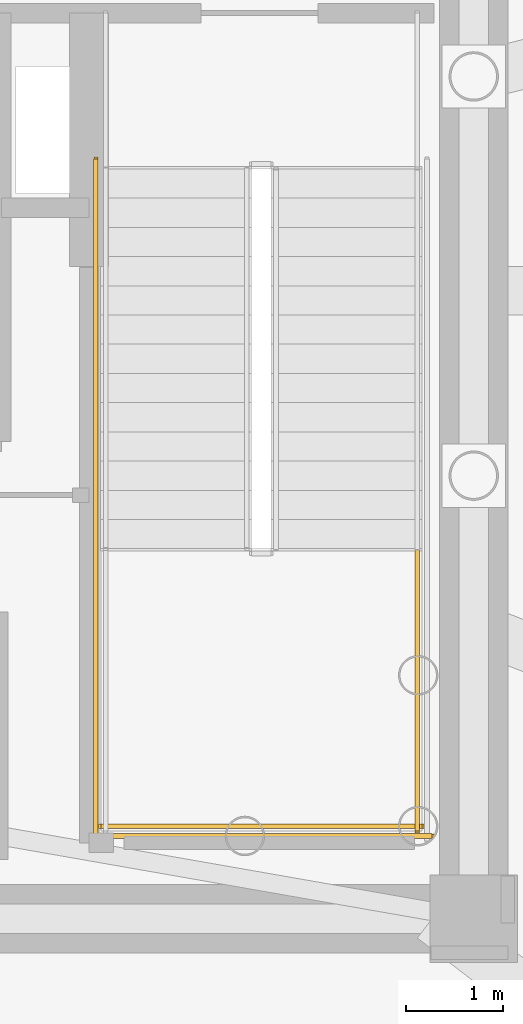
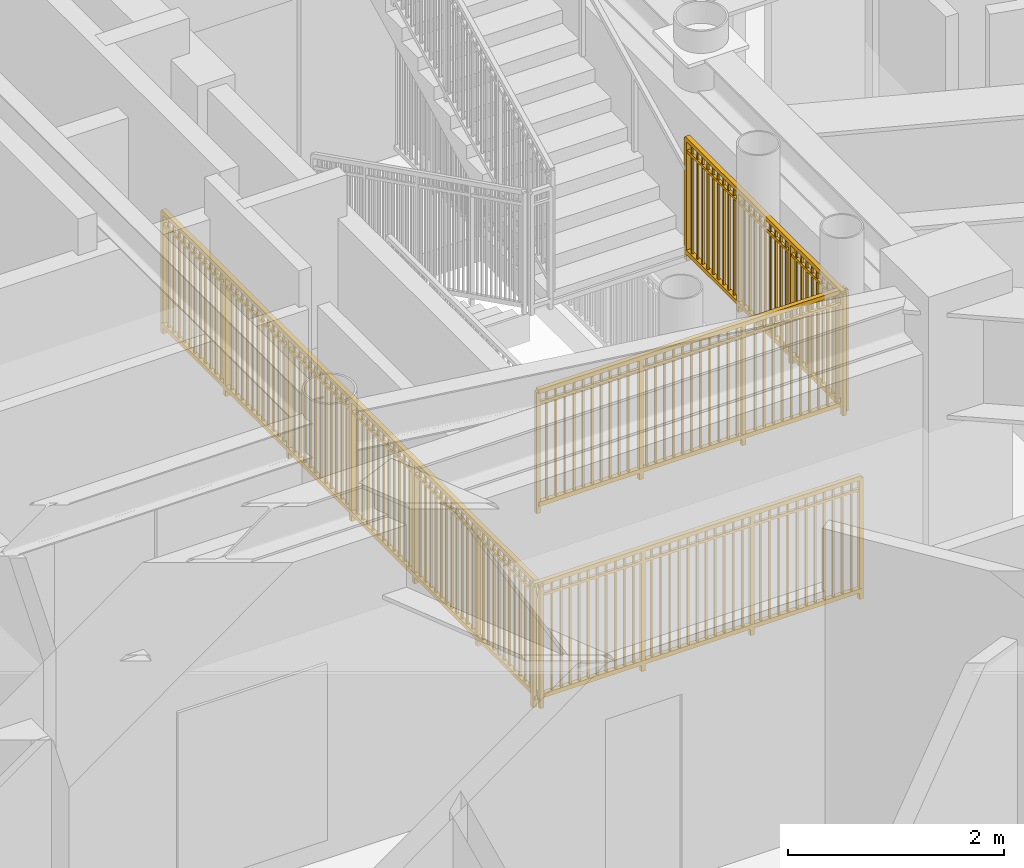
# One storey, part 21 of 26: 4 railings.
"""IFC4 building model written with IfcOpenShell, lengths in metres."""

from ifc_helpers import new_model, si_unit, direction, frame, origin, origin_2d, place, context, subcontext, project, spatial, rectangle, extrude, source, transform, mapped, material, type_object, element, save


model = new_model("IFC4")

# Units and contexts
model_context = context("Model", 3, precision=1e-05, world=origin(), true_north=direction((0.0, 1.0)))
body_context = subcontext(model_context, "Body", "Model", "MODEL_VIEW")
ifc_project = project(units=[si_unit("LENGTHUNIT", "METRE"), si_unit("AREAUNIT", "SQUARE_METRE"), si_unit("VOLUMEUNIT", "CUBIC_METRE"), si_unit("PLANEANGLEUNIT", "RADIAN"), si_unit("MASSUNIT", "GRAM", prefix="KILO")], contexts=[model_context])

# Site, building, storey
site_placement = place(None, origin())
site = spatial("IfcSite", under=ifc_project, at=site_placement, CompositionType="ELEMENT")
building_placement = place(site_placement, origin())
building = spatial("IfcBuilding", under=site, at=building_placement, Name="Linh Dai School and Residence Tower", CompositionType="ELEMENT")
storey_placement = place(building_placement, frame((0.0, 0.0, 351.0)))
storey = spatial("IfcBuildingStorey", under=building, at=storey_placement, Name="L87", CompositionType="ELEMENT", Elevation=351.0)

# Railings
ifc_material = material(Name="Structural Steel S355JR", Category="steel")
railing_type = type_object("IfcRailingType", Name="RL-ST-GUARD-1400", PredefinedType="GUARDRAIL", material=ifc_material)
shared_shape_1 = source(origin(), body_context, "Body", "SweptSolid", [
    extrude(rectangle(XDim=0.048095703125, YDim=0.048095703125, at=origin_2d()), frame((0.0, 0.0, 1.3759765625), z_axis=(1.0, 0.0, 0.0), x_axis=(0.0, 1.0, 0.0)), (0.0, 0.0, 1.0), 3.300048828125),
    extrude(rectangle(XDim=0.048095703125, YDim=0.048095703125, at=origin_2d()), frame((0.0, 0.0, 0.10009765625), z_axis=(1.0, 0.0, 0.0), x_axis=(0.0, 1.0, 0.0)), (0.0, 0.0, 1.0), 3.300048828125),
    extrude(rectangle(XDim=0.030029296875, YDim=0.030029296875, at=origin_2d()), frame((0.0, 0.0, 1.239990234375), z_axis=(1.0, 0.0, 0.0), x_axis=(0.0, 1.0, 0.0)), (0.0, 0.0, 1.0), 3.300048828125),
    extrude(rectangle(XDim=0.02001953125, YDim=0.02001953125, at=origin_2d()), frame((0.09716796875, 0.0, 0.10009765625)), (0.0, 0.0, 1.0), 1.251708984375),
    extrude(rectangle(XDim=0.02001953125, YDim=0.02001953125, at=origin_2d()), frame((0.194091796875, 0.0, 0.10009765625)), (0.0, 0.0, 1.0), 1.251708984375),
    extrude(rectangle(XDim=0.02001953125, YDim=0.02001953125, at=origin_2d()), frame((0.291259765625, 0.0, 0.10009765625)), (0.0, 0.0, 1.0), 1.251708984375),
    extrude(rectangle(XDim=0.02001953125, YDim=0.02001953125, at=origin_2d()), frame((0.38818359375, 0.0, 0.10009765625)), (0.0, 0.0, 1.0), 1.251708984375),
    extrude(rectangle(XDim=0.02001953125, YDim=0.02001953125, at=origin_2d()), frame((0.4853515625, 0.0, 0.10009765625)), (0.0, 0.0, 1.0), 1.251708984375),
    extrude(rectangle(XDim=0.02001953125, YDim=0.02001953125, at=origin_2d()), frame((0.582275390625, 0.0, 0.10009765625)), (0.0, 0.0, 1.0), 1.251708984375),
    extrude(rectangle(XDim=0.02001953125, YDim=0.02001953125, at=origin_2d()), frame((0.679443359375, 0.0, 0.10009765625)), (0.0, 0.0, 1.0), 1.251708984375),
    extrude(rectangle(XDim=0.02001953125, YDim=0.02001953125, at=origin_2d()), frame((0.7763671875, 0.0, 0.10009765625)), (0.0, 0.0, 1.0), 1.251708984375),
    extrude(rectangle(XDim=0.02001953125, YDim=0.02001953125, at=origin_2d()), frame((0.87353515625, 0.0, 0.10009765625)), (0.0, 0.0, 1.0), 1.251708984375),
    extrude(rectangle(XDim=0.02001953125, YDim=0.02001953125, at=origin_2d()), frame((0.970703125, 0.0, 0.10009765625)), (0.0, 0.0, 1.0), 1.251708984375),
    extrude(rectangle(XDim=0.02001953125, YDim=0.02001953125, at=origin_2d()), frame((1.164794921875, 0.0, 0.10009765625)), (0.0, 0.0, 1.0), 1.251708984375),
    extrude(rectangle(XDim=0.02001953125, YDim=0.02001953125, at=origin_2d()), frame((1.26171875, 0.0, 0.10009765625)), (0.0, 0.0, 1.0), 1.251708984375),
    extrude(rectangle(XDim=0.02001953125, YDim=0.02001953125, at=origin_2d()), frame((1.35888671875, 0.0, 0.10009765625)), (0.0, 0.0, 1.0), 1.251708984375),
    extrude(rectangle(XDim=0.02001953125, YDim=0.02001953125, at=origin_2d()), frame((1.455810546875, 0.0, 0.10009765625)), (0.0, 0.0, 1.0), 1.251708984375),
    extrude(rectangle(XDim=0.02001953125, YDim=0.02001953125, at=origin_2d()), frame((1.552978515625, 0.0, 0.10009765625)), (0.0, 0.0, 1.0), 1.251708984375),
    extrude(rectangle(XDim=0.02001953125, YDim=0.02001953125, at=origin_2d()), frame((1.64990234375, 0.0, 0.10009765625)), (0.0, 0.0, 1.0), 1.251708984375),
    extrude(rectangle(XDim=0.02001953125, YDim=0.02001953125, at=origin_2d()), frame((1.7470703125, 0.0, 0.10009765625)), (0.0, 0.0, 1.0), 1.251708984375),
    extrude(rectangle(XDim=0.02001953125, YDim=0.02001953125, at=origin_2d()), frame((1.84423828125, 0.0, 0.10009765625)), (0.0, 0.0, 1.0), 1.251708984375),
    extrude(rectangle(XDim=0.02001953125, YDim=0.02001953125, at=origin_2d()), frame((1.941162109375, 0.0, 0.10009765625)), (0.0, 0.0, 1.0), 1.251708984375),
    extrude(rectangle(XDim=0.02001953125, YDim=0.02001953125, at=origin_2d()), frame((2.038330078125, 0.0, 0.10009765625)), (0.0, 0.0, 1.0), 1.251708984375),
    extrude(rectangle(XDim=0.02001953125, YDim=0.02001953125, at=origin_2d()), frame((2.13525390625, 0.0, 0.10009765625)), (0.0, 0.0, 1.0), 1.251708984375),
    extrude(rectangle(XDim=0.02001953125, YDim=0.02001953125, at=origin_2d()), frame((2.329345703125, 0.0, 0.10009765625)), (0.0, 0.0, 1.0), 1.251708984375),
    extrude(rectangle(XDim=0.02001953125, YDim=0.02001953125, at=origin_2d()), frame((2.426513671875, 0.0, 0.10009765625)), (0.0, 0.0, 1.0), 1.251708984375),
    extrude(rectangle(XDim=0.02001953125, YDim=0.02001953125, at=origin_2d()), frame((2.523681640625, 0.0, 0.10009765625)), (0.0, 0.0, 1.0), 1.251708984375),
    extrude(rectangle(XDim=0.02001953125, YDim=0.02001953125, at=origin_2d()), frame((2.62060546875, 0.0, 0.10009765625)), (0.0, 0.0, 1.0), 1.251708984375),
    extrude(rectangle(XDim=0.02001953125, YDim=0.02001953125, at=origin_2d()), frame((2.7177734375, 0.0, 0.10009765625)), (0.0, 0.0, 1.0), 1.251708984375),
    extrude(rectangle(XDim=0.02001953125, YDim=0.02001953125, at=origin_2d()), frame((2.814697265625, 0.0, 0.10009765625)), (0.0, 0.0, 1.0), 1.251708984375),
    extrude(rectangle(XDim=0.02001953125, YDim=0.02001953125, at=origin_2d()), frame((2.911865234375, 0.0, 0.10009765625)), (0.0, 0.0, 1.0), 1.251708984375),
    extrude(rectangle(XDim=0.02001953125, YDim=0.02001953125, at=origin_2d()), frame((3.0087890625, 0.0, 0.10009765625)), (0.0, 0.0, 1.0), 1.251708984375),
    extrude(rectangle(XDim=0.02001953125, YDim=0.02001953125, at=origin_2d()), frame((3.10595703125, 0.0, 0.10009765625)), (0.0, 0.0, 1.0), 1.251708984375),
    extrude(rectangle(XDim=0.02001953125, YDim=0.02001953125, at=origin_2d()), frame((3.202880859375, 0.0, 0.10009765625)), (0.0, 0.0, 1.0), 1.251708984375),
    extrude(rectangle(XDim=0.0419921875, YDim=0.0419921875, at=origin_2d()), origin(), (0.0, 0.0, 1.0), 1.3759765625),
    extrude(rectangle(XDim=0.0419921875, YDim=0.0419921875, at=origin_2d()), frame((1.10009765625, 0.0, 0.0)), (0.0, 0.0, 1.0), 1.3759765625),
    extrude(rectangle(XDim=0.0419921875, YDim=0.0419921875, at=origin_2d()), frame((2.199951171875, 0.0, 0.0)), (0.0, 0.0, 1.0), 1.3759765625),
    extrude(rectangle(XDim=0.0419921875, YDim=0.0419921875, at=origin_2d()), frame((3.300048828125, 0.0, 0.0)), (0.0, 0.0, 1.0), 1.3759765625),
])
railing_1_placement = place(storey_placement, frame((41.02001953125, 21.5, 2.10009765625)))
element("IfcRailing", 1, at=railing_1_placement, inside=storey, type_object=railing_type, Name="L87 ST2 stair guard 5", PredefinedType="GUARDRAIL", context=body_context, shape_type="MappedRepresentation", body=[
    mapped(shared_shape_1, transform((0.0, 0.0, 0.0), x_axis=(1.0, 0.0, 0.0), y_axis=(0.0, 1.0, 0.0), z_axis=(0.0, 0.0, 1.0), scale=1.0)),
])
shared_shape_2 = source(origin(), body_context, "Body", "SweptSolid", [
    extrude(rectangle(XDim=0.048095703125, YDim=0.048095703125, at=origin_2d()), frame((0.0, 0.0, 1.3759765625), z_axis=(0.0, -1.0, 0.0), x_axis=(1.0, 0.0, 0.0)), (0.0, 0.0, 1.0), 7.0),
    extrude(rectangle(XDim=0.048095703125, YDim=0.048095703125, at=origin_2d()), frame((0.0, 0.0, 0.10009765625), z_axis=(0.0, -1.0, 0.0), x_axis=(1.0, 0.0, 0.0)), (0.0, 0.0, 1.0), 7.0),
    extrude(rectangle(XDim=0.030029296875, YDim=0.030029296875, at=origin_2d()), frame((0.0, 0.0, 1.239990234375), z_axis=(0.0, -1.0, 0.0), x_axis=(1.0, 0.0, 0.0)), (0.0, 0.0, 1.0), 7.0),
    extrude(rectangle(XDim=0.02001953125, YDim=0.02001953125, at=origin_2d()), frame((0.0, -0.09716796875, 0.10009765625)), (0.0, 0.0, 1.0), 1.251708984375),
    extrude(rectangle(XDim=0.02001953125, YDim=0.02001953125, at=origin_2d()), frame((0.0, -0.1943359375, 0.10009765625)), (0.0, 0.0, 1.0), 1.251708984375),
    extrude(rectangle(XDim=0.02001953125, YDim=0.02001953125, at=origin_2d()), frame((0.0, -0.291748046875, 0.10009765625)), (0.0, 0.0, 1.0), 1.251708984375),
    extrude(rectangle(XDim=0.02001953125, YDim=0.02001953125, at=origin_2d()), frame((0.0, -0.388916015625, 0.10009765625)), (0.0, 0.0, 1.0), 1.251708984375),
    extrude(rectangle(XDim=0.02001953125, YDim=0.02001953125, at=origin_2d()), frame((0.0, -0.486083984375, 0.10009765625)), (0.0, 0.0, 1.0), 1.251708984375),
    extrude(rectangle(XDim=0.02001953125, YDim=0.02001953125, at=origin_2d()), frame((0.0, -0.583251953125, 0.10009765625)), (0.0, 0.0, 1.0), 1.251708984375),
    extrude(rectangle(XDim=0.02001953125, YDim=0.02001953125, at=origin_2d()), frame((0.0, -0.6806640625, 0.10009765625)), (0.0, 0.0, 1.0), 1.251708984375),
    extrude(rectangle(XDim=0.02001953125, YDim=0.02001953125, at=origin_2d()), frame((0.0, -0.77783203125, 0.10009765625)), (0.0, 0.0, 1.0), 1.251708984375),
    extrude(rectangle(XDim=0.02001953125, YDim=0.02001953125, at=origin_2d()), frame((0.0, -0.875, 0.10009765625)), (0.0, 0.0, 1.0), 1.251708984375),
    extrude(rectangle(XDim=0.02001953125, YDim=0.02001953125, at=origin_2d()), frame((0.0, -0.97216796875, 0.10009765625)), (0.0, 0.0, 1.0), 1.251708984375),
    extrude(rectangle(XDim=0.02001953125, YDim=0.02001953125, at=origin_2d()), frame((0.0, -1.0693359375, 0.10009765625)), (0.0, 0.0, 1.0), 1.251708984375),
    extrude(rectangle(XDim=0.02001953125, YDim=0.02001953125, at=origin_2d()), frame((0.0, -1.263916015625, 0.10009765625)), (0.0, 0.0, 1.0), 1.251708984375),
    extrude(rectangle(XDim=0.02001953125, YDim=0.02001953125, at=origin_2d()), frame((0.0, -1.361083984375, 0.10009765625)), (0.0, 0.0, 1.0), 1.251708984375),
    extrude(rectangle(XDim=0.02001953125, YDim=0.02001953125, at=origin_2d()), frame((0.0, -1.458251953125, 0.10009765625)), (0.0, 0.0, 1.0), 1.251708984375),
    extrude(rectangle(XDim=0.02001953125, YDim=0.02001953125, at=origin_2d()), frame((0.0, -1.5556640625, 0.10009765625)), (0.0, 0.0, 1.0), 1.251708984375),
    extrude(rectangle(XDim=0.02001953125, YDim=0.02001953125, at=origin_2d()), frame((0.0, -1.65283203125, 0.10009765625)), (0.0, 0.0, 1.0), 1.251708984375),
    extrude(rectangle(XDim=0.02001953125, YDim=0.02001953125, at=origin_2d()), frame((0.0, -1.75, 0.10009765625)), (0.0, 0.0, 1.0), 1.251708984375),
    extrude(rectangle(XDim=0.02001953125, YDim=0.02001953125, at=origin_2d()), frame((0.0, -1.84716796875, 0.10009765625)), (0.0, 0.0, 1.0), 1.251708984375),
    extrude(rectangle(XDim=0.02001953125, YDim=0.02001953125, at=origin_2d()), frame((0.0, -1.9443359375, 0.10009765625)), (0.0, 0.0, 1.0), 1.251708984375),
    extrude(rectangle(XDim=0.02001953125, YDim=0.02001953125, at=origin_2d()), frame((0.0, -2.041748046875, 0.10009765625)), (0.0, 0.0, 1.0), 1.251708984375),
    extrude(rectangle(XDim=0.02001953125, YDim=0.02001953125, at=origin_2d()), frame((0.0, -2.138916015625, 0.10009765625)), (0.0, 0.0, 1.0), 1.251708984375),
    extrude(rectangle(XDim=0.02001953125, YDim=0.02001953125, at=origin_2d()), frame((0.0, -2.236083984375, 0.10009765625)), (0.0, 0.0, 1.0), 1.251708984375),
    extrude(rectangle(XDim=0.02001953125, YDim=0.02001953125, at=origin_2d()), frame((0.0, -2.4306640625, 0.10009765625)), (0.0, 0.0, 1.0), 1.251708984375),
    extrude(rectangle(XDim=0.02001953125, YDim=0.02001953125, at=origin_2d()), frame((0.0, -2.52783203125, 0.10009765625)), (0.0, 0.0, 1.0), 1.251708984375),
    extrude(rectangle(XDim=0.02001953125, YDim=0.02001953125, at=origin_2d()), frame((0.0, -2.625, 0.10009765625)), (0.0, 0.0, 1.0), 1.251708984375),
    extrude(rectangle(XDim=0.02001953125, YDim=0.02001953125, at=origin_2d()), frame((0.0, -2.72216796875, 0.10009765625)), (0.0, 0.0, 1.0), 1.251708984375),
    extrude(rectangle(XDim=0.02001953125, YDim=0.02001953125, at=origin_2d()), frame((0.0, -2.8193359375, 0.10009765625)), (0.0, 0.0, 1.0), 1.251708984375),
    extrude(rectangle(XDim=0.02001953125, YDim=0.02001953125, at=origin_2d()), frame((0.0, -2.916748046875, 0.10009765625)), (0.0, 0.0, 1.0), 1.251708984375),
    extrude(rectangle(XDim=0.02001953125, YDim=0.02001953125, at=origin_2d()), frame((0.0, -3.013916015625, 0.10009765625)), (0.0, 0.0, 1.0), 1.251708984375),
    extrude(rectangle(XDim=0.02001953125, YDim=0.02001953125, at=origin_2d()), frame((0.0, -3.111083984375, 0.10009765625)), (0.0, 0.0, 1.0), 1.251708984375),
    extrude(rectangle(XDim=0.02001953125, YDim=0.02001953125, at=origin_2d()), frame((0.0, -3.208251953125, 0.10009765625)), (0.0, 0.0, 1.0), 1.251708984375),
    extrude(rectangle(XDim=0.02001953125, YDim=0.02001953125, at=origin_2d()), frame((0.0, -3.3056640625, 0.10009765625)), (0.0, 0.0, 1.0), 1.251708984375),
    extrude(rectangle(XDim=0.02001953125, YDim=0.02001953125, at=origin_2d()), frame((0.0, -3.40283203125, 0.10009765625)), (0.0, 0.0, 1.0), 1.251708984375),
    extrude(rectangle(XDim=0.02001953125, YDim=0.02001953125, at=origin_2d()), frame((0.0, -3.59716796875, 0.10009765625)), (0.0, 0.0, 1.0), 1.251708984375),
    extrude(rectangle(XDim=0.02001953125, YDim=0.02001953125, at=origin_2d()), frame((0.0, -3.6943359375, 0.10009765625)), (0.0, 0.0, 1.0), 1.251708984375),
    extrude(rectangle(XDim=0.02001953125, YDim=0.02001953125, at=origin_2d()), frame((0.0, -3.791748046875, 0.10009765625)), (0.0, 0.0, 1.0), 1.251708984375),
    extrude(rectangle(XDim=0.02001953125, YDim=0.02001953125, at=origin_2d()), frame((0.0, -3.888916015625, 0.10009765625)), (0.0, 0.0, 1.0), 1.251708984375),
    extrude(rectangle(XDim=0.02001953125, YDim=0.02001953125, at=origin_2d()), frame((0.0, -3.986083984375, 0.10009765625)), (0.0, 0.0, 1.0), 1.251708984375),
    extrude(rectangle(XDim=0.02001953125, YDim=0.02001953125, at=origin_2d()), frame((0.0, -4.083251953125, 0.10009765625)), (0.0, 0.0, 1.0), 1.251708984375),
    extrude(rectangle(XDim=0.02001953125, YDim=0.02001953125, at=origin_2d()), frame((0.0, -4.1806640625, 0.10009765625)), (0.0, 0.0, 1.0), 1.251708984375),
    extrude(rectangle(XDim=0.02001953125, YDim=0.02001953125, at=origin_2d()), frame((0.0, -4.27783203125, 0.10009765625)), (0.0, 0.0, 1.0), 1.251708984375),
    extrude(rectangle(XDim=0.02001953125, YDim=0.02001953125, at=origin_2d()), frame((0.0, -4.375, 0.10009765625)), (0.0, 0.0, 1.0), 1.251708984375),
    extrude(rectangle(XDim=0.02001953125, YDim=0.02001953125, at=origin_2d()), frame((0.0, -4.47216796875, 0.10009765625)), (0.0, 0.0, 1.0), 1.251708984375),
    extrude(rectangle(XDim=0.02001953125, YDim=0.02001953125, at=origin_2d()), frame((0.0, -4.5693359375, 0.10009765625)), (0.0, 0.0, 1.0), 1.251708984375),
    extrude(rectangle(XDim=0.02001953125, YDim=0.02001953125, at=origin_2d()), frame((0.0, -4.763916015625, 0.10009765625)), (0.0, 0.0, 1.0), 1.251708984375),
    extrude(rectangle(XDim=0.02001953125, YDim=0.02001953125, at=origin_2d()), frame((0.0, -4.861083984375, 0.10009765625)), (0.0, 0.0, 1.0), 1.251708984375),
    extrude(rectangle(XDim=0.02001953125, YDim=0.02001953125, at=origin_2d()), frame((0.0, -4.958251953125, 0.10009765625)), (0.0, 0.0, 1.0), 1.251708984375),
    extrude(rectangle(XDim=0.02001953125, YDim=0.02001953125, at=origin_2d()), frame((0.0, -5.0556640625, 0.10009765625)), (0.0, 0.0, 1.0), 1.251708984375),
    extrude(rectangle(XDim=0.02001953125, YDim=0.02001953125, at=origin_2d()), frame((0.0, -5.15283203125, 0.10009765625)), (0.0, 0.0, 1.0), 1.251708984375),
    extrude(rectangle(XDim=0.02001953125, YDim=0.02001953125, at=origin_2d()), frame((0.0, -5.25, 0.10009765625)), (0.0, 0.0, 1.0), 1.251708984375),
    extrude(rectangle(XDim=0.02001953125, YDim=0.02001953125, at=origin_2d()), frame((0.0, -5.34716796875, 0.10009765625)), (0.0, 0.0, 1.0), 1.251708984375),
    extrude(rectangle(XDim=0.02001953125, YDim=0.02001953125, at=origin_2d()), frame((0.0, -5.4443359375, 0.10009765625)), (0.0, 0.0, 1.0), 1.251708984375),
    extrude(rectangle(XDim=0.02001953125, YDim=0.02001953125, at=origin_2d()), frame((0.0, -5.541748046875, 0.10009765625)), (0.0, 0.0, 1.0), 1.251708984375),
    extrude(rectangle(XDim=0.02001953125, YDim=0.02001953125, at=origin_2d()), frame((0.0, -5.638916015625, 0.10009765625)), (0.0, 0.0, 1.0), 1.251708984375),
    extrude(rectangle(XDim=0.02001953125, YDim=0.02001953125, at=origin_2d()), frame((0.0, -5.736083984375, 0.10009765625)), (0.0, 0.0, 1.0), 1.251708984375),
    extrude(rectangle(XDim=0.02001953125, YDim=0.02001953125, at=origin_2d()), frame((0.0, -5.9306640625, 0.10009765625)), (0.0, 0.0, 1.0), 1.251708984375),
    extrude(rectangle(XDim=0.02001953125, YDim=0.02001953125, at=origin_2d()), frame((0.0, -6.02783203125, 0.10009765625)), (0.0, 0.0, 1.0), 1.251708984375),
    extrude(rectangle(XDim=0.02001953125, YDim=0.02001953125, at=origin_2d()), frame((0.0, -6.125, 0.10009765625)), (0.0, 0.0, 1.0), 1.251708984375),
    extrude(rectangle(XDim=0.02001953125, YDim=0.02001953125, at=origin_2d()), frame((0.0, -6.22216796875, 0.10009765625)), (0.0, 0.0, 1.0), 1.251708984375),
    extrude(rectangle(XDim=0.02001953125, YDim=0.02001953125, at=origin_2d()), frame((0.0, -6.3193359375, 0.10009765625)), (0.0, 0.0, 1.0), 1.251708984375),
    extrude(rectangle(XDim=0.02001953125, YDim=0.02001953125, at=origin_2d()), frame((0.0, -6.416748046875, 0.10009765625)), (0.0, 0.0, 1.0), 1.251708984375),
    extrude(rectangle(XDim=0.02001953125, YDim=0.02001953125, at=origin_2d()), frame((0.0, -6.513916015625, 0.10009765625)), (0.0, 0.0, 1.0), 1.251708984375),
    extrude(rectangle(XDim=0.02001953125, YDim=0.02001953125, at=origin_2d()), frame((0.0, -6.611083984375, 0.10009765625)), (0.0, 0.0, 1.0), 1.251708984375),
    extrude(rectangle(XDim=0.02001953125, YDim=0.02001953125, at=origin_2d()), frame((0.0, -6.708251953125, 0.10009765625)), (0.0, 0.0, 1.0), 1.251708984375),
    extrude(rectangle(XDim=0.02001953125, YDim=0.02001953125, at=origin_2d()), frame((0.0, -6.8056640625, 0.10009765625)), (0.0, 0.0, 1.0), 1.251708984375),
    extrude(rectangle(XDim=0.02001953125, YDim=0.02001953125, at=origin_2d()), frame((0.0, -6.90283203125, 0.10009765625)), (0.0, 0.0, 1.0), 1.251708984375),
    extrude(rectangle(XDim=0.0419921875, YDim=0.0419921875, at=origin_2d()), origin(), (0.0, 0.0, 1.0), 1.3759765625),
    extrude(rectangle(XDim=0.0419921875, YDim=0.0419921875, at=origin_2d()), frame((0.0, -1.166748046875, 0.0)), (0.0, 0.0, 1.0), 1.3759765625),
    extrude(rectangle(XDim=0.0419921875, YDim=0.0419921875, at=origin_2d()), frame((0.0, -2.333251953125, 0.0)), (0.0, 0.0, 1.0), 1.3759765625),
    extrude(rectangle(XDim=0.0419921875, YDim=0.0419921875, at=origin_2d()), frame((0.0, -3.5, 0.0)), (0.0, 0.0, 1.0), 1.3759765625),
    extrude(rectangle(XDim=0.0419921875, YDim=0.0419921875, at=origin_2d()), frame((0.0, -4.666748046875, 0.0)), (0.0, 0.0, 1.0), 1.3759765625),
    extrude(rectangle(XDim=0.0419921875, YDim=0.0419921875, at=origin_2d()), frame((0.0, -5.833251953125, 0.0)), (0.0, 0.0, 1.0), 1.3759765625),
    extrude(rectangle(XDim=0.0419921875, YDim=0.0419921875, at=origin_2d()), frame((0.0, -7.0, 0.0)), (0.0, 0.0, 1.0), 1.3759765625),
])
railing_2_placement = place(storey_placement, frame((40.969970703125, 28.35009765625, 0.0)))
element("IfcRailing", 2, at=railing_2_placement, inside=storey, type_object=railing_type, Name="L87 ST2 stair guard 10", PredefinedType="GUARDRAIL", context=body_context, shape_type="MappedRepresentation", body=[
    mapped(shared_shape_2, transform((0.0, 0.0, 0.0), x_axis=(1.0, 0.0, 0.0), y_axis=(0.0, 1.0, 0.0), z_axis=(0.0, 0.0, 1.0), scale=1.0)),
])
shared_shape_3 = source(origin(), body_context, "Body", "SweptSolid", [
    extrude(rectangle(XDim=0.048095703125, YDim=0.048095703125, at=origin_2d()), frame((0.0, 0.0, 1.3759765625), z_axis=(1.0, 0.0, 0.0), x_axis=(0.0, 1.0, 0.0)), (0.0, 0.0, 1.0), 3.5),
    extrude(rectangle(XDim=0.048095703125, YDim=0.048095703125, at=origin_2d()), frame((0.0, 0.0, 0.10009765625), z_axis=(1.0, 0.0, 0.0), x_axis=(0.0, 1.0, 0.0)), (0.0, 0.0, 1.0), 3.5),
    extrude(rectangle(XDim=0.030029296875, YDim=0.030029296875, at=origin_2d()), frame((0.0, 0.0, 1.239990234375), z_axis=(1.0, 0.0, 0.0), x_axis=(0.0, 1.0, 0.0)), (0.0, 0.0, 1.0), 3.5),
    extrude(rectangle(XDim=0.02001953125, YDim=0.02001953125, at=origin_2d()), frame((0.09716796875, 0.0, 0.10009765625)), (0.0, 0.0, 1.0), 1.251708984375),
    extrude(rectangle(XDim=0.02001953125, YDim=0.02001953125, at=origin_2d()), frame((0.1943359375, 0.0, 0.10009765625)), (0.0, 0.0, 1.0), 1.251708984375),
    extrude(rectangle(XDim=0.02001953125, YDim=0.02001953125, at=origin_2d()), frame((0.291748046875, 0.0, 0.10009765625)), (0.0, 0.0, 1.0), 1.251708984375),
    extrude(rectangle(XDim=0.02001953125, YDim=0.02001953125, at=origin_2d()), frame((0.388916015625, 0.0, 0.10009765625)), (0.0, 0.0, 1.0), 1.251708984375),
    extrude(rectangle(XDim=0.02001953125, YDim=0.02001953125, at=origin_2d()), frame((0.486083984375, 0.0, 0.10009765625)), (0.0, 0.0, 1.0), 1.251708984375),
    extrude(rectangle(XDim=0.02001953125, YDim=0.02001953125, at=origin_2d()), frame((0.583251953125, 0.0, 0.10009765625)), (0.0, 0.0, 1.0), 1.251708984375),
    extrude(rectangle(XDim=0.02001953125, YDim=0.02001953125, at=origin_2d()), frame((0.6806640625, 0.0, 0.10009765625)), (0.0, 0.0, 1.0), 1.251708984375),
    extrude(rectangle(XDim=0.02001953125, YDim=0.02001953125, at=origin_2d()), frame((0.77783203125, 0.0, 0.10009765625)), (0.0, 0.0, 1.0), 1.251708984375),
    extrude(rectangle(XDim=0.02001953125, YDim=0.02001953125, at=origin_2d()), frame((0.875, 0.0, 0.10009765625)), (0.0, 0.0, 1.0), 1.251708984375),
    extrude(rectangle(XDim=0.02001953125, YDim=0.02001953125, at=origin_2d()), frame((0.97216796875, 0.0, 0.10009765625)), (0.0, 0.0, 1.0), 1.251708984375),
    extrude(rectangle(XDim=0.02001953125, YDim=0.02001953125, at=origin_2d()), frame((1.0693359375, 0.0, 0.10009765625)), (0.0, 0.0, 1.0), 1.251708984375),
    extrude(rectangle(XDim=0.02001953125, YDim=0.02001953125, at=origin_2d()), frame((1.263916015625, 0.0, 0.10009765625)), (0.0, 0.0, 1.0), 1.251708984375),
    extrude(rectangle(XDim=0.02001953125, YDim=0.02001953125, at=origin_2d()), frame((1.361083984375, 0.0, 0.10009765625)), (0.0, 0.0, 1.0), 1.251708984375),
    extrude(rectangle(XDim=0.02001953125, YDim=0.02001953125, at=origin_2d()), frame((1.458251953125, 0.0, 0.10009765625)), (0.0, 0.0, 1.0), 1.251708984375),
    extrude(rectangle(XDim=0.02001953125, YDim=0.02001953125, at=origin_2d()), frame((1.5556640625, 0.0, 0.10009765625)), (0.0, 0.0, 1.0), 1.251708984375),
    extrude(rectangle(XDim=0.02001953125, YDim=0.02001953125, at=origin_2d()), frame((1.65283203125, 0.0, 0.10009765625)), (0.0, 0.0, 1.0), 1.251708984375),
    extrude(rectangle(XDim=0.02001953125, YDim=0.02001953125, at=origin_2d()), frame((1.75, 0.0, 0.10009765625)), (0.0, 0.0, 1.0), 1.251708984375),
    extrude(rectangle(XDim=0.02001953125, YDim=0.02001953125, at=origin_2d()), frame((1.84716796875, 0.0, 0.10009765625)), (0.0, 0.0, 1.0), 1.251708984375),
    extrude(rectangle(XDim=0.02001953125, YDim=0.02001953125, at=origin_2d()), frame((1.9443359375, 0.0, 0.10009765625)), (0.0, 0.0, 1.0), 1.251708984375),
    extrude(rectangle(XDim=0.02001953125, YDim=0.02001953125, at=origin_2d()), frame((2.041748046875, 0.0, 0.10009765625)), (0.0, 0.0, 1.0), 1.251708984375),
    extrude(rectangle(XDim=0.02001953125, YDim=0.02001953125, at=origin_2d()), frame((2.138916015625, 0.0, 0.10009765625)), (0.0, 0.0, 1.0), 1.251708984375),
    extrude(rectangle(XDim=0.02001953125, YDim=0.02001953125, at=origin_2d()), frame((2.236083984375, 0.0, 0.10009765625)), (0.0, 0.0, 1.0), 1.251708984375),
    extrude(rectangle(XDim=0.02001953125, YDim=0.02001953125, at=origin_2d()), frame((2.4306640625, 0.0, 0.10009765625)), (0.0, 0.0, 1.0), 1.251708984375),
    extrude(rectangle(XDim=0.02001953125, YDim=0.02001953125, at=origin_2d()), frame((2.52783203125, 0.0, 0.10009765625)), (0.0, 0.0, 1.0), 1.251708984375),
    extrude(rectangle(XDim=0.02001953125, YDim=0.02001953125, at=origin_2d()), frame((2.625, 0.0, 0.10009765625)), (0.0, 0.0, 1.0), 1.251708984375),
    extrude(rectangle(XDim=0.02001953125, YDim=0.02001953125, at=origin_2d()), frame((2.72216796875, 0.0, 0.10009765625)), (0.0, 0.0, 1.0), 1.251708984375),
    extrude(rectangle(XDim=0.02001953125, YDim=0.02001953125, at=origin_2d()), frame((2.8193359375, 0.0, 0.10009765625)), (0.0, 0.0, 1.0), 1.251708984375),
    extrude(rectangle(XDim=0.02001953125, YDim=0.02001953125, at=origin_2d()), frame((2.916748046875, 0.0, 0.10009765625)), (0.0, 0.0, 1.0), 1.251708984375),
    extrude(rectangle(XDim=0.02001953125, YDim=0.02001953125, at=origin_2d()), frame((3.013916015625, 0.0, 0.10009765625)), (0.0, 0.0, 1.0), 1.251708984375),
    extrude(rectangle(XDim=0.02001953125, YDim=0.02001953125, at=origin_2d()), frame((3.111083984375, 0.0, 0.10009765625)), (0.0, 0.0, 1.0), 1.251708984375),
    extrude(rectangle(XDim=0.02001953125, YDim=0.02001953125, at=origin_2d()), frame((3.208251953125, 0.0, 0.10009765625)), (0.0, 0.0, 1.0), 1.251708984375),
    extrude(rectangle(XDim=0.02001953125, YDim=0.02001953125, at=origin_2d()), frame((3.3056640625, 0.0, 0.10009765625)), (0.0, 0.0, 1.0), 1.251708984375),
    extrude(rectangle(XDim=0.02001953125, YDim=0.02001953125, at=origin_2d()), frame((3.40283203125, 0.0, 0.10009765625)), (0.0, 0.0, 1.0), 1.251708984375),
    extrude(rectangle(XDim=0.0419921875, YDim=0.0419921875, at=origin_2d()), origin(), (0.0, 0.0, 1.0), 1.3759765625),
    extrude(rectangle(XDim=0.0419921875, YDim=0.0419921875, at=origin_2d()), frame((1.166748046875, 0.0, 0.0)), (0.0, 0.0, 1.0), 1.3759765625),
    extrude(rectangle(XDim=0.0419921875, YDim=0.0419921875, at=origin_2d()), frame((2.333251953125, 0.0, 0.0)), (0.0, 0.0, 1.0), 1.3759765625),
    extrude(rectangle(XDim=0.0419921875, YDim=0.0419921875, at=origin_2d()), frame((3.5, 0.0, 0.0)), (0.0, 0.0, 1.0), 1.3759765625),
])
railing_3_placement = place(storey_placement, frame((40.919921875, 21.39990234375, 0.0)))
element("IfcRailing", 3, at=railing_3_placement, inside=storey, type_object=railing_type, Name="L87 ST2 stair guard 12", PredefinedType="GUARDRAIL", context=body_context, shape_type="MappedRepresentation", body=[
    mapped(shared_shape_3, transform((0.0, 0.0, 0.0), x_axis=(1.0, 0.0, 0.0), y_axis=(0.0, 1.0, 0.0), z_axis=(0.0, 0.0, 1.0), scale=1.0)),
])
shared_shape_4 = source(origin(), body_context, "Body", "SweptSolid", [
    extrude(rectangle(XDim=0.048095703125, YDim=0.048095703125, at=origin_2d()), frame((0.0, 0.0, 1.3759765625), z_axis=(0.0, -1.0, 0.0), x_axis=(1.0, 0.0, 0.0)), (0.0, 0.0, 1.0), 2.900146484375),
    extrude(rectangle(XDim=0.048095703125, YDim=0.048095703125, at=origin_2d()), frame((0.0, 0.0, 0.10009765625), z_axis=(0.0, -1.0, 0.0), x_axis=(1.0, 0.0, 0.0)), (0.0, 0.0, 1.0), 2.900146484375),
    extrude(rectangle(XDim=0.030029296875, YDim=0.030029296875, at=origin_2d()), frame((0.0, 0.0, 1.239990234375), z_axis=(0.0, -1.0, 0.0), x_axis=(1.0, 0.0, 0.0)), (0.0, 0.0, 1.0), 2.900146484375),
    extrude(rectangle(XDim=0.02001953125, YDim=0.02001953125, at=origin_2d()), frame((0.0, -0.0966796875, 0.10009765625)), (0.0, 0.0, 1.0), 1.251708984375),
    extrude(rectangle(XDim=0.02001953125, YDim=0.02001953125, at=origin_2d()), frame((0.0, -0.193359375, 0.10009765625)), (0.0, 0.0, 1.0), 1.251708984375),
    extrude(rectangle(XDim=0.02001953125, YDim=0.02001953125, at=origin_2d()), frame((0.0, -0.2900390625, 0.10009765625)), (0.0, 0.0, 1.0), 1.251708984375),
    extrude(rectangle(XDim=0.02001953125, YDim=0.02001953125, at=origin_2d()), frame((0.0, -0.38671875, 0.10009765625)), (0.0, 0.0, 1.0), 1.251708984375),
    extrude(rectangle(XDim=0.02001953125, YDim=0.02001953125, at=origin_2d()), frame((0.0, -0.4833984375, 0.10009765625)), (0.0, 0.0, 1.0), 1.251708984375),
    extrude(rectangle(XDim=0.02001953125, YDim=0.02001953125, at=origin_2d()), frame((0.0, -0.580078125, 0.10009765625)), (0.0, 0.0, 1.0), 1.251708984375),
    extrude(rectangle(XDim=0.02001953125, YDim=0.02001953125, at=origin_2d()), frame((0.0, -0.6767578125, 0.10009765625)), (0.0, 0.0, 1.0), 1.251708984375),
    extrude(rectangle(XDim=0.02001953125, YDim=0.02001953125, at=origin_2d()), frame((0.0, -0.7734375, 0.10009765625)), (0.0, 0.0, 1.0), 1.251708984375),
    extrude(rectangle(XDim=0.02001953125, YDim=0.02001953125, at=origin_2d()), frame((0.0, -0.8701171875, 0.10009765625)), (0.0, 0.0, 1.0), 1.251708984375),
    extrude(rectangle(XDim=0.02001953125, YDim=0.02001953125, at=origin_2d()), frame((0.0, -1.0634765625, 0.10009765625)), (0.0, 0.0, 1.0), 1.251708984375),
    extrude(rectangle(XDim=0.02001953125, YDim=0.02001953125, at=origin_2d()), frame((0.0, -1.16015625, 0.10009765625)), (0.0, 0.0, 1.0), 1.251708984375),
    extrude(rectangle(XDim=0.02001953125, YDim=0.02001953125, at=origin_2d()), frame((0.0, -1.2568359375, 0.10009765625)), (0.0, 0.0, 1.0), 1.251708984375),
    extrude(rectangle(XDim=0.02001953125, YDim=0.02001953125, at=origin_2d()), frame((0.0, -1.353515625, 0.10009765625)), (0.0, 0.0, 1.0), 1.251708984375),
    extrude(rectangle(XDim=0.02001953125, YDim=0.02001953125, at=origin_2d()), frame((0.0, -1.4501953125, 0.10009765625)), (0.0, 0.0, 1.0), 1.251708984375),
    extrude(rectangle(XDim=0.02001953125, YDim=0.02001953125, at=origin_2d()), frame((0.0, -1.546630859375, 0.10009765625)), (0.0, 0.0, 1.0), 1.251708984375),
    extrude(rectangle(XDim=0.02001953125, YDim=0.02001953125, at=origin_2d()), frame((0.0, -1.643310546875, 0.10009765625)), (0.0, 0.0, 1.0), 1.251708984375),
    extrude(rectangle(XDim=0.02001953125, YDim=0.02001953125, at=origin_2d()), frame((0.0, -1.739990234375, 0.10009765625)), (0.0, 0.0, 1.0), 1.251708984375),
    extrude(rectangle(XDim=0.02001953125, YDim=0.02001953125, at=origin_2d()), frame((0.0, -1.836669921875, 0.10009765625)), (0.0, 0.0, 1.0), 1.251708984375),
    extrude(rectangle(XDim=0.02001953125, YDim=0.02001953125, at=origin_2d()), frame((0.0, -2.030029296875, 0.10009765625)), (0.0, 0.0, 1.0), 1.251708984375),
    extrude(rectangle(XDim=0.02001953125, YDim=0.02001953125, at=origin_2d()), frame((0.0, -2.126708984375, 0.10009765625)), (0.0, 0.0, 1.0), 1.251708984375),
    extrude(rectangle(XDim=0.02001953125, YDim=0.02001953125, at=origin_2d()), frame((0.0, -2.223388671875, 0.10009765625)), (0.0, 0.0, 1.0), 1.251708984375),
    extrude(rectangle(XDim=0.02001953125, YDim=0.02001953125, at=origin_2d()), frame((0.0, -2.320068359375, 0.10009765625)), (0.0, 0.0, 1.0), 1.251708984375),
    extrude(rectangle(XDim=0.02001953125, YDim=0.02001953125, at=origin_2d()), frame((0.0, -2.416748046875, 0.10009765625)), (0.0, 0.0, 1.0), 1.251708984375),
    extrude(rectangle(XDim=0.02001953125, YDim=0.02001953125, at=origin_2d()), frame((0.0, -2.513427734375, 0.10009765625)), (0.0, 0.0, 1.0), 1.251708984375),
    extrude(rectangle(XDim=0.02001953125, YDim=0.02001953125, at=origin_2d()), frame((0.0, -2.610107421875, 0.10009765625)), (0.0, 0.0, 1.0), 1.251708984375),
    extrude(rectangle(XDim=0.02001953125, YDim=0.02001953125, at=origin_2d()), frame((0.0, -2.706787109375, 0.10009765625)), (0.0, 0.0, 1.0), 1.251708984375),
    extrude(rectangle(XDim=0.02001953125, YDim=0.02001953125, at=origin_2d()), frame((0.0, -2.803466796875, 0.10009765625)), (0.0, 0.0, 1.0), 1.251708984375),
    extrude(rectangle(XDim=0.0419921875, YDim=0.0419921875, at=origin_2d()), origin(), (0.0, 0.0, 1.0), 1.3759765625),
    extrude(rectangle(XDim=0.0419921875, YDim=0.0419921875, at=origin_2d()), frame((0.0, -0.966796875, 0.0)), (0.0, 0.0, 1.0), 1.3759765625),
    extrude(rectangle(XDim=0.0419921875, YDim=0.0419921875, at=origin_2d()), frame((0.0, -1.933349609375, 0.0)), (0.0, 0.0, 1.0), 1.3759765625),
    extrude(rectangle(XDim=0.0419921875, YDim=0.0419921875, at=origin_2d()), frame((0.0, -2.900146484375, 0.0)), (0.0, 0.0, 1.0), 1.3759765625),
])
railing_4_placement = place(storey_placement, frame((44.27001953125, 24.35009765625, 2.10009765625)))
element("IfcRailing", 4, at=railing_4_placement, inside=storey, type_object=railing_type, Name="L87 ST2 stair guard 4", PredefinedType="GUARDRAIL", context=body_context, shape_type="MappedRepresentation", body=[
    mapped(shared_shape_4, transform((0.0, 0.0, 0.0), x_axis=(1.0, 0.0, 0.0), y_axis=(0.0, 1.0, 0.0), z_axis=(0.0, 0.0, 1.0), scale=1.0)),
])

save(model, "model.ifc")
